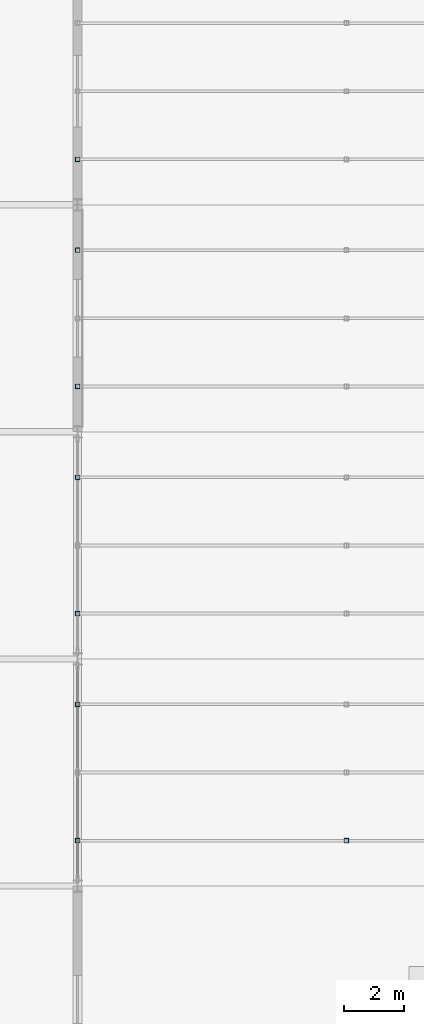
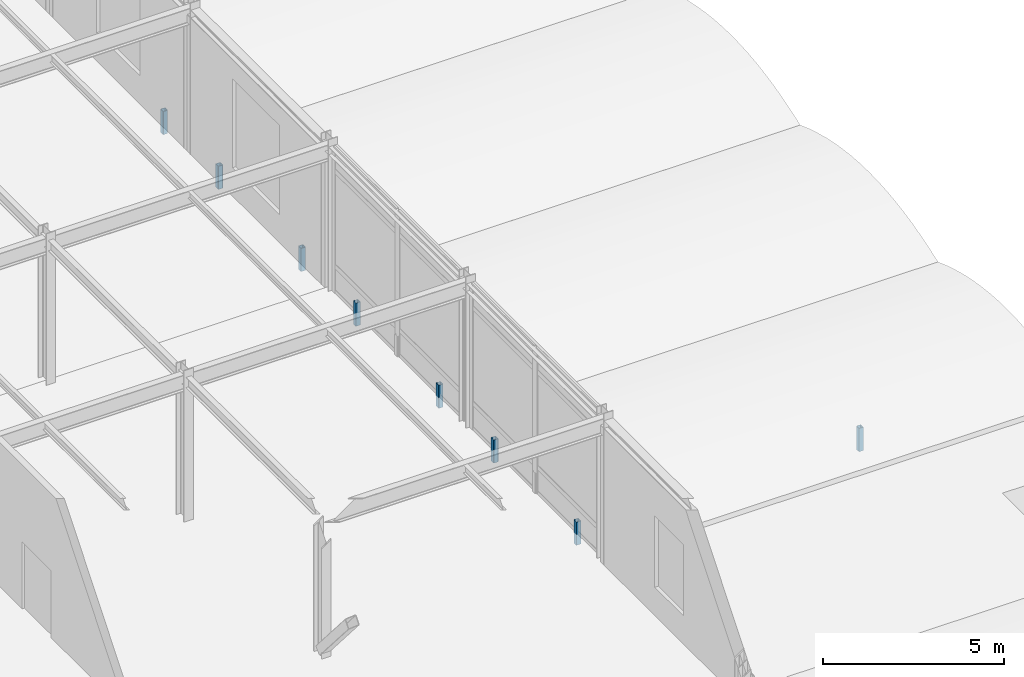
# One storey, part 82 of 113: 8 members.
"""IFC4 building model written with IfcOpenShell, lengths in metres."""

from ifc_helpers import new_model, si_unit, direction, frame, origin, origin_2d, place, context, subcontext, project, spatial, hollow_rectangle, extrude, material, material_profile, profile_set, type_object, element, save


model = new_model("IFC4")

# Units and contexts
model_context = context("Model", 3, precision=1e-05, world=origin(), true_north=direction((0.0, 1.0)))
body_context = subcontext(model_context, "Body", "Model", "MODEL_VIEW")
ifc_project = project(units=[si_unit("LENGTHUNIT", "METRE"), si_unit("AREAUNIT", "SQUARE_METRE"), si_unit("VOLUMEUNIT", "CUBIC_METRE"), si_unit("PLANEANGLEUNIT", "RADIAN"), si_unit("MASSUNIT", "GRAM", prefix="KILO")], contexts=[model_context])

# Site, building, storey
site_placement = place(None, origin())
site = spatial("IfcSite", under=ifc_project, at=site_placement, CompositionType="ELEMENT")
building_placement = place(site_placement, origin())
building = spatial("IfcBuilding", under=site, at=building_placement, Name="Shalkamar Park Central Library", CompositionType="ELEMENT")
storey_placement = place(building_placement, frame((0.0, 0.0, 5.39990234375)))
storey = spatial("IfcBuildingStorey", under=building, at=storey_placement, Name="L02", CompositionType="ELEMENT", Elevation=5.39990234375)

# Members
ifc_material = material(Name="Steel S355", Category="steel")
ifc_material_profile = material_profile(ifc_material, hollow_rectangle(XDim=0.14990234375, YDim=0.14990234375, WallThickness=0.008056640625, InnerFilletRadius=0.008056640625, OuterFilletRadius=0.011962890625, at=origin_2d()), Name="SHS 150x150x8")
ifc_profile_set = profile_set([ifc_material_profile], Name="Steel S355")
member_type = type_object("IfcMemberType", Name="Diagonal Brace SHS150", PredefinedType="BRACE", material=ifc_profile_set)
for number, where, z_axis, x_axis, name in (
    (1, (273.0, 279.52001953125, -0.35986328125), (0.0, 0.0, 1.0), (1.0, 0.0, 0.0), "Vault Arch Post BV-L01-E4-20.1"),
    (2, (273.0, 284.080078125, -0.35986328125), (0.0, 0.0, 1.0), (1.0, 0.0, 0.0), "Vault Arch Post BV-L01-E4-20.3"),
    (3, (282.0, 279.52001953125, -0.35986328125), (0.0, 0.0, 1.0), (1.0, 0.0, 0.0), "Vault Arch Post BV-L01-E4-21.1"),
    (4, (273.0, 287.1201171875, -0.35986328125), (0.0, 0.0, 1.0), (1.0, 0.0, 0.0), "Vault Arch Post BV-L01-E5-20.1"),
    (5, (273.0, 291.679931640625, -0.35986328125), (0.0, 0.0, 1.0), (1.0, 0.0, 0.0), "Vault Arch Post BV-L01-E5-20.3"),
    (6, (273.0, 294.719970703125, -0.35986328125), (0.0, 0.0, 1.0), (1.0, 0.0, 0.0), "Vault Arch Post BV-L01-E6-20.1"),
    (7, (273.0, 299.280029296875, -0.35986328125), (0.0, 0.0, 1.0), (1.0, 0.0, 0.0), "Vault Arch Post BV-L01-E6-20.3"),
    (8, (273.0, 302.320068359375, -0.35986328125), (0.0, 0.0, 1.0), (1.0, 0.0, 0.0), "Vault Arch Post BV-L01-E7-20.1"),
):
    element("IfcMember", number, at=place(storey_placement, frame(where, z_axis=z_axis, x_axis=x_axis)), inside=storey, type_object=member_type, Name=name, PredefinedType="BRACE", context=body_context, shape_type="SweptSolid", body=[
        extrude(hollow_rectangle(XDim=0.14990234375, YDim=0.14990234375, WallThickness=0.008056640625, InnerFilletRadius=0.008056640625, OuterFilletRadius=0.011962890625, at=origin_2d()), origin(), (0.0, 0.0, 1.0), 0.78076171875),
    ])

save(model, "model.ifc")
